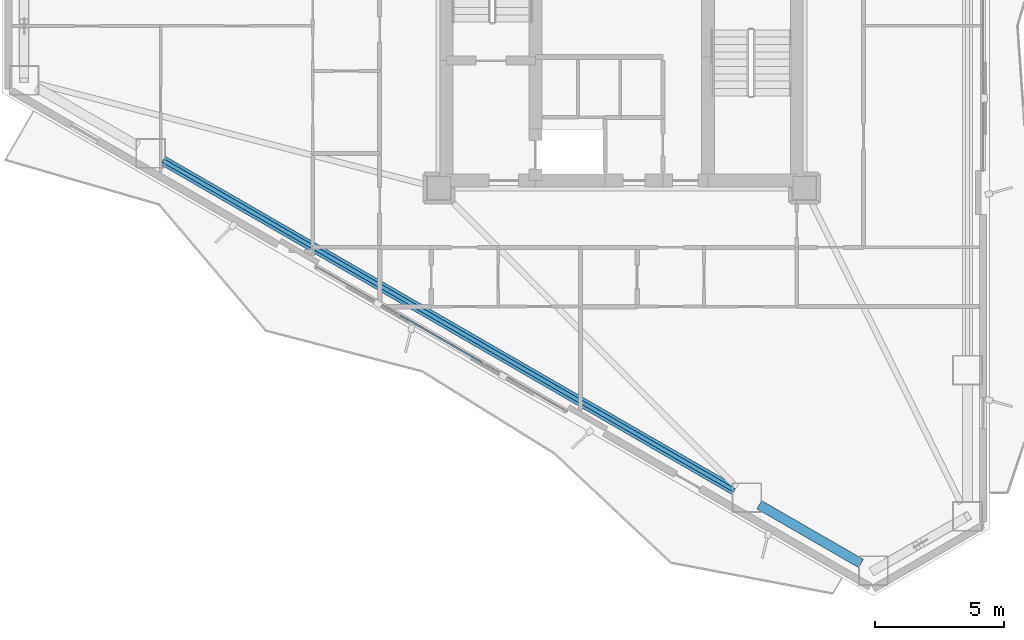
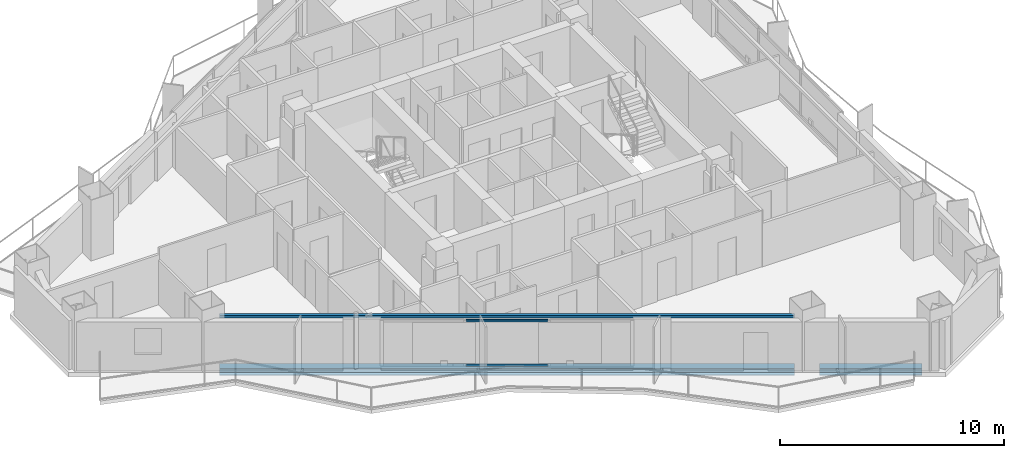
# One storey, part 3 of 23: 3 beams, 2 members, 1 element without a shape of its own.
"""IFC4 building model written with IfcOpenShell, lengths in metres."""

from ifc_helpers import new_model, si_unit, direction, frame, origin, origin_2d, place, context, subcontext, project, spatial, hollow_rectangle, i_section, extrude, material, layer, layer_set, material_profile, profile_set, type_object, element, aggregate, save


model = new_model("IFC4")

# Units and contexts
model_context = context("Model", 3, precision=1e-05, world=origin(), true_north=direction((0.0, 1.0)))
body_context = subcontext(model_context, "Body", "Model", "MODEL_VIEW")
ifc_project = project(units=[si_unit("LENGTHUNIT", "METRE"), si_unit("AREAUNIT", "SQUARE_METRE"), si_unit("VOLUMEUNIT", "CUBIC_METRE"), si_unit("PLANEANGLEUNIT", "RADIAN"), si_unit("MASSUNIT", "GRAM", prefix="KILO")], contexts=[model_context])

# Site, building, storey
site_placement = place(None, origin())
site = spatial("IfcSite", under=ifc_project, at=site_placement, CompositionType="ELEMENT")
building_placement = place(site_placement, origin())
building = spatial("IfcBuilding", under=site, at=building_placement, Name="Mersakhor Tower and Convention Hall", CompositionType="ELEMENT")
storey_placement = place(building_placement, frame((0.0, 0.0, 93.300048828125)))
storey = spatial("IfcBuildingStorey", under=building, at=storey_placement, Name="L25", CompositionType="ELEMENT", Elevation=93.300048828125)

# Beams
ifc_material_1 = material(Name="Steel S355", Category="steel")
ifc_material_profile_1 = material_profile(ifc_material_1, hollow_rectangle(XDim=0.14990234375, YDim=0.14990234375, WallThickness=0.010009765625, at=origin_2d()), Name="SHS 150x150x10")
ifc_profile_set_1 = profile_set([ifc_material_profile_1], Name="Steel S355")
beam_type_1 = type_object("IfcBeamType", Name="BM-GRT-SHS150", PredefinedType="USERDEFINED", material=ifc_profile_set_1)
beam_1_placement = place(storey_placement, frame((33.38232421875, 8.706787109375, 2.47998046875), z_axis=(-0.866022538643, 0.500004962538, 0.0), x_axis=(-0.500004962538, -0.866022538643, 0.0)))
element("IfcBeam", 1, at=beam_1_placement, inside=storey, type_object=beam_type_1, Name="L25 Facade Support Girt GRT-F3", ObjectType="GIRT", PredefinedType="USERDEFINED", context=body_context, shape_type="SweptSolid", body=[
    extrude(hollow_rectangle(XDim=0.14990234375, YDim=0.14990234375, WallThickness=0.010009765625, at=origin_2d()), origin(), (0.0, 0.0, 1.0), 25.633544921875),
])
ifc_material_2 = material(Name="Steel S355", Category="steel")
ifc_material_profile_2 = material_profile(ifc_material_2, i_section(OverallWidth=0.374755859375, OverallDepth=0.37451171875, WebThickness=0.0166015625, FlangeThickness=0.027099609375, at=origin_2d()), Name="UC 356x368x202")
ifc_profile_set_2 = profile_set([ifc_material_profile_2], Name="Steel S355")
beam_type_2 = type_object("IfcBeamType", Name="BM-SPD-UC356", PredefinedType="SPANDREL", material=ifc_profile_set_2)
beam_2_placement = place(storey_placement, frame((38.298095703125, 5.868896484375, -0.437255859375), z_axis=(-0.866046694585, 0.499963121439, 0.0), x_axis=(-0.499963121439, -0.866046694585, 0.0)))
element("IfcBeam", 2, at=beam_2_placement, inside=storey, type_object=beam_type_2, Name="L25 Perimeter Spandrel Beam SPB-09", PredefinedType="SPANDREL", context=body_context, shape_type="SweptSolid", body=[
    extrude(i_section(OverallWidth=0.374755859375, OverallDepth=0.37451171875, WebThickness=0.0166015625, FlangeThickness=0.027099609375, at=origin_2d()), origin(), (0.0, 0.0, 1.0), 4.566162109375),
])
beam_3_placement = place(storey_placement, frame((33.38232421875, 8.706787109375, -0.437255859375), z_axis=(-0.866022538643, 0.500004962538, 0.0), x_axis=(-0.500004962538, -0.866022538643, 0.0)))
element("IfcBeam", 3, at=beam_3_placement, inside=storey, type_object=beam_type_2, Name="L25 Perimeter Spandrel Beam SPB-10", PredefinedType="SPANDREL", context=body_context, shape_type="SweptSolid", body=[
    extrude(i_section(OverallWidth=0.374755859375, OverallDepth=0.37451171875, WebThickness=0.0166015625, FlangeThickness=0.027099609375, at=origin_2d()), origin(), (0.0, 0.0, 1.0), 25.633544921875),
])

# Curtain wall, members
ifc_material_3 = material(Name="Dark solar low-E aluminium curtain wall", Category="aluminium")
ifc_layer = layer(ifc_material_3, 0.159912109375)
ifc_layer_set = layer_set([ifc_layer], Name="Dark solar low-E aluminium curtain wall")
curtain_wall_type = type_object("IfcCurtainWallType", Name="CW-SYS-01", PredefinedType="USERDEFINED", material=ifc_layer_set)
curtain_wall_placement = place(storey_placement, origin())
curtain_wall = element("IfcCurtainWall", 4, at=curtain_wall_placement, inside=storey, type_object=curtain_wall_type, Name="L25 Dark-Glass Curtain Wall F3-B2", ObjectType="CURTAIN WALL", PredefinedType="USERDEFINED")
ifc_material_4 = material(Name="Anodised aluminium EN AW-6063 T6", Category="aluminium")
ifc_material_profile_3 = material_profile(ifc_material_4, hollow_rectangle(XDim=0.06005859375, YDim=0.1201171875, WallThickness=0.0048828125, at=origin_2d()), Name="RHS 120x60x5")
ifc_profile_set_3 = profile_set([ifc_material_profile_3], Name="Anodised aluminium EN AW-6063 T6")
member_type = type_object("IfcMemberType", Name="CWT-120x60", PredefinedType="USERDEFINED", material=ifc_profile_set_3)
member_1_placement = place(storey_placement, frame((23.571044921875, 13.6787109375, 0.22998046875), z_axis=(-0.866039286129, 0.499975954304, 0.0), x_axis=(-0.499975954304, -0.866039286129, 0.0)))
member_1 = element("IfcMember", 5, at=member_1_placement, type_object=member_type, Name="CW-01 transom 2.1", ObjectType="TRANSOM", PredefinedType="USERDEFINED", context=body_context, shape_type="SweptSolid", body=[
    extrude(hollow_rectangle(XDim=0.06005859375, YDim=0.1201171875, WallThickness=0.0048828125, at=origin_2d()), origin(), (0.0, 0.0, 1.0), 3.668212890625),
])
member_2_placement = place(storey_placement, frame((23.571044921875, 13.6787109375, 2.639892578125), z_axis=(-0.866039286129, 0.499975954304, 0.0), x_axis=(-0.499975954304, -0.866039286129, 0.0)))
member_2 = element("IfcMember", 6, at=member_2_placement, type_object=member_type, Name="CW-01 transom 2.2", ObjectType="TRANSOM", PredefinedType="USERDEFINED", context=body_context, shape_type="SweptSolid", body=[
    extrude(hollow_rectangle(XDim=0.06005859375, YDim=0.1201171875, WallThickness=0.0048828125, at=origin_2d()), origin(), (0.0, 0.0, 1.0), 3.668212890625),
])
aggregate(curtain_wall, [member_1, member_2])

save(model, "model.ifc")
